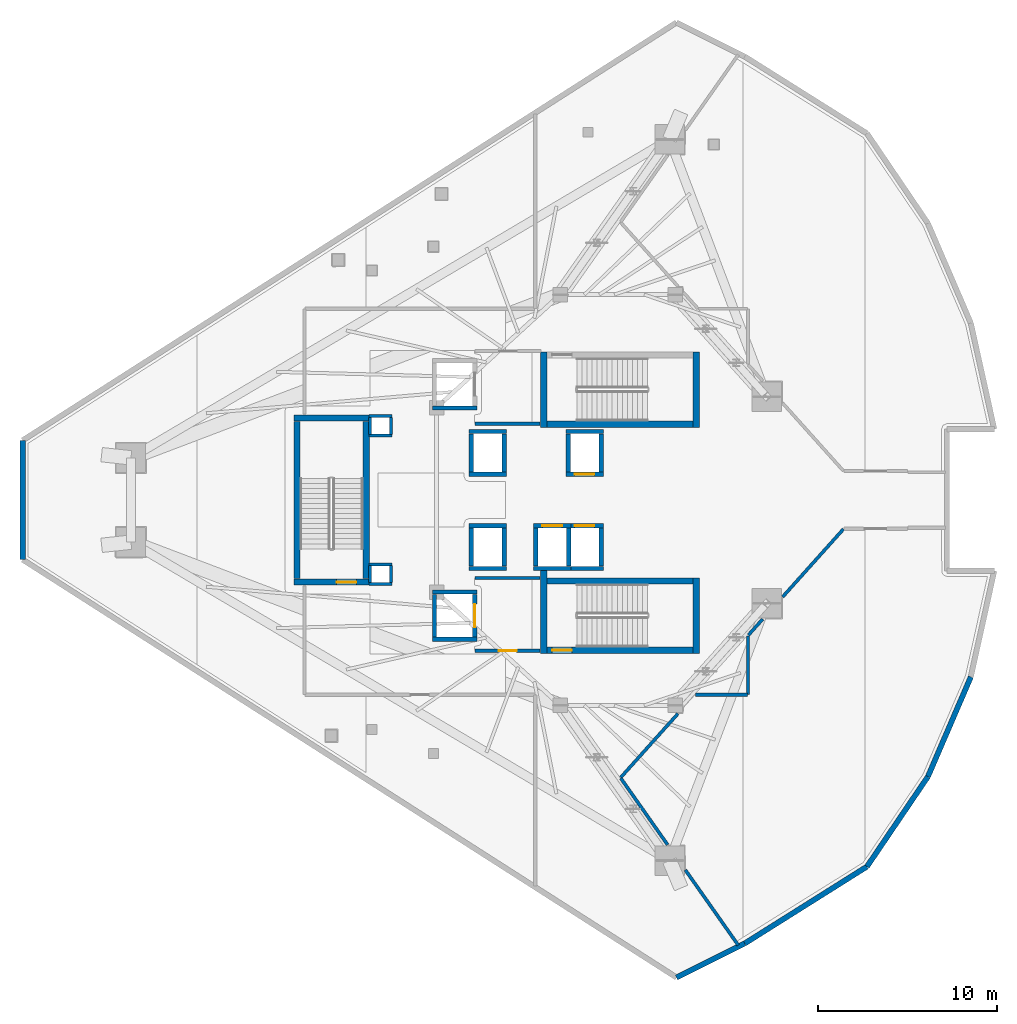
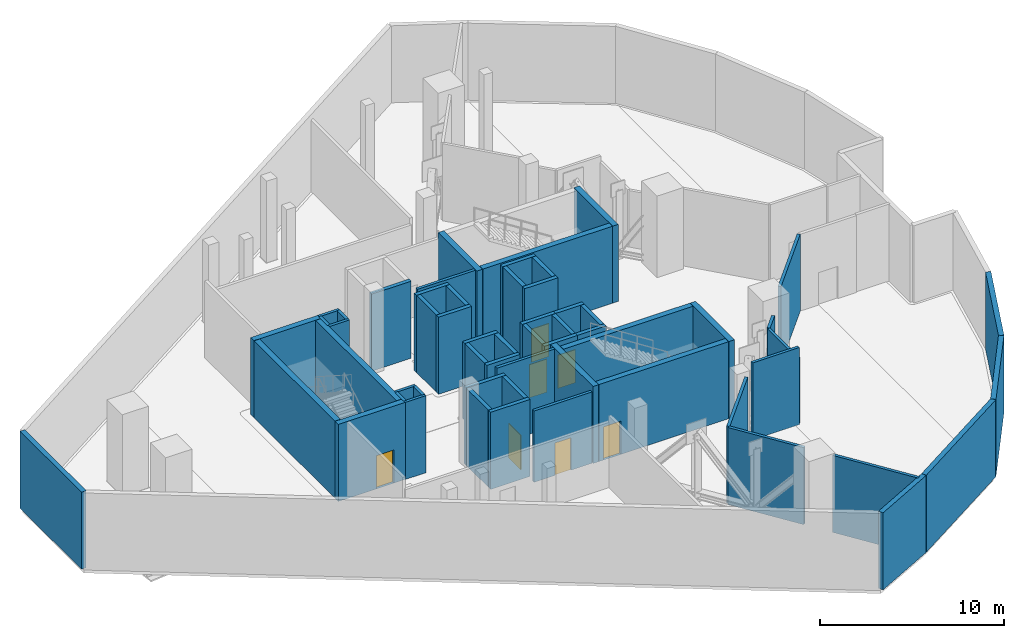
# One storey, part 3 of 9: 58 walls, 7 doors, 7 openings.
"""IFC4 building model written with IfcOpenShell, lengths in metres."""

from ifc_helpers import new_model, si_unit, direction, frame, frame_2d, origin, place, context, subcontext, project, spatial, rectangle, extrude, material, layer, layer_set, type_object, element, fill, save


model = new_model("IFC4")

# Units and contexts
model_context = context("Model", 3, precision=1e-05, world=origin(), true_north=direction((0.0, 1.0)))
body_context = subcontext(model_context, "Body", "Model", "MODEL_VIEW")
ifc_project = project(units=[si_unit("LENGTHUNIT", "METRE"), si_unit("AREAUNIT", "SQUARE_METRE"), si_unit("VOLUMEUNIT", "CUBIC_METRE"), si_unit("PLANEANGLEUNIT", "RADIAN"), si_unit("MASSUNIT", "GRAM", prefix="KILO")], contexts=[model_context])

# Site, building, storey
site_placement = place(None, origin())
site = spatial("IfcSite", under=ifc_project, at=site_placement, CompositionType="ELEMENT")
building_placement = place(site_placement, origin())
building = spatial("IfcBuilding", under=site, at=building_placement, Name="Qorvath Tower", CompositionType="ELEMENT")
storey_placement = place(building_placement, frame((0.0, 0.0, 249.60009765625)))
storey = spatial("IfcBuildingStorey", under=building, at=storey_placement, Name="L58", CompositionType="ELEMENT", Elevation=249.60009765625)

# Walls
ifc_material_1 = material(Name="Gypsum shaftliner on steel studs", Category="steel")
ifc_layer_1 = layer(ifc_material_1, 0.179931640625)
ifc_layer_set_1 = layer_set([ifc_layer_1], Name="FW-LOBBY")
wall_type_1 = type_object("IfcWallType", Name="FW-LOBBY", PredefinedType="PARTITIONING", material=ifc_layer_set_1)
for number, where, z_axis, x_axis, name in (
    (1, (-32.989990234375, 3.594970703125, 0.0), (0.0, 0.0, 1.0), (-1.0, 0.0, 0.0), "MEP Riser Shaft Enclosure Wall N-L58-S"),
    (2, (-34.260009765625, 4.675048828125, 0.0), (0.0, 0.0, 1.0), (1.0, 0.0, 0.0), "MEP Riser Shaft Enclosure Wall N-L58-N"),
):
    element("IfcWall", number, at=place(storey_placement, frame(where, z_axis=z_axis, x_axis=x_axis)), inside=storey, type_object=wall_type_1, Name=name, PredefinedType="PARTITIONING", context=body_context, shape_type="SweptSolid", body=[
        extrude(rectangle(XDim=1.27001953125, YDim=0.179931640625, at=frame_2d((0.635009765625, 0.0))), origin(), (0.0, 0.0, 1.0), 5.099853515625),
    ])
for number, where, z_axis, x_axis, name in (
    (3, (-34.205078125, 3.659912109375, 0.0), (0.0, 0.0, 1.0), (0.0, 1.0, 0.0), "MEP Riser Shaft Enclosure Wall N-L58-W"),
    (4, (-33.044921875, 4.610107421875, 0.0), (0.0, 0.0, 1.0), (0.0, -1.0, 0.0), "MEP Riser Shaft Enclosure Wall N-L58-E"),
):
    element("IfcWall", number, at=place(storey_placement, frame(where, z_axis=z_axis, x_axis=x_axis)), inside=storey, type_object=wall_type_1, Name=name, PredefinedType="PARTITIONING", context=body_context, shape_type="SweptSolid", body=[
        extrude(rectangle(XDim=0.9501953125, YDim=0.179931640625, at=frame_2d((0.47509765625, 0.0))), origin(), (0.0, 0.0, 1.0), 5.099853515625),
    ])
for number, where, z_axis, x_axis, name in (
    (5, (-32.989990234375, -4.675048828125, 0.0), (0.0, 0.0, 1.0), (-1.0, 0.0, 0.0), "MEP Riser Shaft Enclosure Wall S-L58-S"),
    (6, (-34.260009765625, -3.594970703125, 0.0), (0.0, 0.0, 1.0), (1.0, 0.0, 0.0), "MEP Riser Shaft Enclosure Wall S-L58-N"),
):
    element("IfcWall", number, at=place(storey_placement, frame(where, z_axis=z_axis, x_axis=x_axis)), inside=storey, type_object=wall_type_1, Name=name, PredefinedType="PARTITIONING", context=body_context, shape_type="SweptSolid", body=[
        extrude(rectangle(XDim=1.27001953125, YDim=0.179931640625, at=frame_2d((0.635009765625, 0.0))), origin(), (0.0, 0.0, 1.0), 5.099853515625),
    ])
for number, where, z_axis, x_axis, name in (
    (7, (-34.205078125, -4.610107421875, 0.0), (0.0, 0.0, 1.0), (0.0, 1.0, 0.0), "MEP Riser Shaft Enclosure Wall S-L58-W"),
    (8, (-33.044921875, -3.659912109375, 0.0), (0.0, 0.0, 1.0), (0.0, -1.0, 0.0), "MEP Riser Shaft Enclosure Wall S-L58-E"),
):
    element("IfcWall", number, at=place(storey_placement, frame(where, z_axis=z_axis, x_axis=x_axis)), inside=storey, type_object=wall_type_1, Name=name, PredefinedType="PARTITIONING", context=body_context, shape_type="SweptSolid", body=[
        extrude(rectangle(XDim=0.9501953125, YDim=0.179931640625, at=frame_2d((0.47509765625, 0.0))), origin(), (0.0, 0.0, 1.0), 5.099853515625),
    ])
wall_1_placement = place(storey_placement, frame((-28.35498046875, 4.25, 0.0), z_axis=(0.0, 0.0, 1.0), x_axis=(1.0, 0.0, 0.0)))
element("IfcWall", 9, at=wall_1_placement, inside=storey, type_object=wall_type_1, Name="Interior Partition IW-T1-L58-001", PredefinedType="PARTITIONING", context=body_context, shape_type="SweptSolid", body=[
    extrude(rectangle(XDim=3.6220703125, YDim=0.179931640625, at=frame_2d((1.81103515625, 0.0))), origin(), (0.0, 0.0, 1.0), 5.099853515625),
])

# Wall, opening, door
wall_2_placement = place(storey_placement, frame((-28.35498046875, -8.39990234375, 0.0), z_axis=(0.0, 0.0, 1.0), x_axis=(1.0, 0.0, 0.0)))
wall_2 = element("IfcWall", 10, at=wall_2_placement, inside=storey, type_object=wall_type_1, Name="Interior Partition IW-T1-L58-003", PredefinedType="PARTITIONING", context=body_context, shape_type="SweptSolid", body=[
    extrude(rectangle(XDim=3.6220703125, YDim=0.179931640625, at=frame_2d((1.81103515625, 0.0))), origin(), (0.0, 0.0, 1.0), 4.71875),
])
opening_1_placement = place(wall_2_placement, frame((1.31103515625, 0.0, 0.0)))
opening_1 = element("IfcOpeningElement", 11, at=opening_1_placement, cuts=wall_2, Name="Opening D-T1-L58-05", PredefinedType="OPENING", context=body_context, shape_type="SweptSolid", body=[
    extrude(rectangle(XDim=1.0, YDim=2.14990234375, at=frame_2d((0.5, 1.074951171875))), frame((0.0, 0.10009765625, 0.0), z_axis=(0.0, -1.0, 0.0), x_axis=(1.0, 0.0, 0.0)), (0.0, 0.0, 1.0), 0.199951171875),
])
ifc_material_2 = material(Name="Painted galvanised hollow metal", Category="steel")
door_type_1 = type_object("IfcDoorType", Name="FD-60", OperationType="NOTDEFINED", PredefinedType="DOOR", material=ifc_material_2)
door_1_placement = place(opening_1_placement, origin())
door_1 = element("IfcDoor", 12, at=door_1_placement, inside=storey, type_object=door_type_1, Name="Lobby Fire Service Elevator South Door D-T1-L58-05", OperationType="SINGLE_SWING_RIGHT", OverallHeight=2.14990234375, OverallWidth=1.0, PredefinedType="DOOR", context=body_context, shape_type="SweptSolid", body=[
    extrude(rectangle(XDim=1.0, YDim=2.14990234375, at=frame_2d((0.5, 1.074951171875))), frame((0.0, 0.02490234375, 0.0), z_axis=(0.0, -1.0, 0.0), x_axis=(1.0, 0.0, 0.0)), (0.0, 0.0, 1.0), 0.050048828125),
])
fill(opening_1, door_1)

# Walls
wall_3_placement = place(storey_placement, frame((-24.73291015625, -4.35009765625, 0.0), z_axis=(0.0, 0.0, 1.0), x_axis=(-1.0, 0.0, 0.0)))
element("IfcWall", 13, at=wall_3_placement, inside=storey, type_object=wall_type_1, Name="Interior Partition IW-T1-L58-004", PredefinedType="PARTITIONING", context=body_context, shape_type="SweptSolid", body=[
    extrude(rectangle(XDim=3.6220703125, YDim=0.179931640625, at=frame_2d((1.81103515625, 0.0))), origin(), (0.0, 0.0, 1.0), 5.099853515625),
])
wall_4_placement = place(storey_placement, frame((-7.82861328125, -1.62646484375, 0.0), z_axis=(0.0, 0.0, 1.0), x_axis=(-0.667556975808, -0.744558717664, 0.0)))
element("IfcWall", 14, at=wall_4_placement, inside=storey, type_object=wall_type_1, Name="Interior Partition IW-T1-L58-023", PredefinedType="PARTITIONING", context=body_context, shape_type="SweptSolid", body=[
    extrude(rectangle(XDim=5.072998046875, YDim=0.179931640625, at=frame_2d((2.53662109375, 0.0))), origin(), (0.0, 0.0, 1.0), 5.099853515625),
])
wall_5_placement = place(storey_placement, frame((-12.324951171875, -6.6416015625, 0.0), z_axis=(0.0, 0.0, 1.0), x_axis=(-0.667580043135, -0.744538035299, 0.0)))
element("IfcWall", 15, at=wall_5_placement, inside=storey, type_object=wall_type_1, Name="Interior Partition IW-T1-L58-024", PredefinedType="PARTITIONING", context=body_context, shape_type="SweptSolid", body=[
    extrude(rectangle(XDim=1.19921875, YDim=0.179931640625, at=frame_2d((0.599609375, 0.0))), origin(), (0.0, 0.0, 1.0), 4.31982421875),
])
wall_6_placement = place(storey_placement, frame((-13.14208984375, -7.577880859375, 0.0), z_axis=(0.0, 0.0, 1.0), x_axis=(0.0, -1.0, 0.0)))
element("IfcWall", 16, at=wall_6_placement, inside=storey, type_object=wall_type_1, Name="Interior Partition IW-T1-L58-025", PredefinedType="PARTITIONING", context=body_context, shape_type="SweptSolid", body=[
    extrude(rectangle(XDim=3.255126953125, YDim=0.179931640625, at=frame_2d((1.62744140625, 0.0))), origin(), (0.0, 0.0, 1.0), 4.31982421875),
])
wall_7_placement = place(storey_placement, frame((-13.1669921875, -10.85791015625, 0.0), z_axis=(0.0, 0.0, 1.0), x_axis=(-1.0, 0.0, 0.0)))
element("IfcWall", 17, at=wall_7_placement, inside=storey, type_object=wall_type_1, Name="Interior Partition IW-T1-L58-026", PredefinedType="PARTITIONING", context=body_context, shape_type="SweptSolid", body=[
    extrude(rectangle(XDim=2.9130859375, YDim=0.179931640625, at=frame_2d((1.45654296875, 0.0))), origin(), (0.0, 0.0, 1.0), 5.099853515625),
])
wall_8_placement = place(storey_placement, frame((-17.04736328125, -11.90869140625, 0.0), z_axis=(0.0, 0.0, 1.0), x_axis=(-0.667525464627, -0.744586968778, 0.0)))
element("IfcWall", 18, at=wall_8_placement, inside=storey, type_object=wall_type_1, Name="Interior Partition IW-T1-L58-027", PredefinedType="PARTITIONING", context=body_context, shape_type="SweptSolid", body=[
    extrude(rectangle(XDim=4.7744140625, YDim=0.179931640625, at=frame_2d((2.38720703125, 0.0))), origin(), (0.0, 0.0, 1.0), 5.099853515625),
])
wall_9_placement = place(storey_placement, frame((-20.236572265625, -15.502685546875, 0.0), z_axis=(0.0, 0.0, 1.0), x_axis=(0.575301570857, -0.817941380888, 0.0)))
element("IfcWall", 19, at=wall_9_placement, inside=storey, type_object=wall_type_1, Name="Interior Partition IW-T1-L58-028", PredefinedType="PARTITIONING", context=body_context, shape_type="SweptSolid", body=[
    extrude(rectangle(XDim=4.539794921875, YDim=0.179931640625, at=frame_2d((2.27001953125, 0.0))), origin(), (0.0, 0.0, 1.0), 5.099853515625),
])
wall_10_placement = place(storey_placement, frame((-16.63623046875, -20.621337890625, 0.0), z_axis=(0.0, 0.0, 1.0), x_axis=(0.575273883825, -0.817960853946, 0.0)))
element("IfcWall", 20, at=wall_10_placement, inside=storey, type_object=wall_type_1, Name="Interior Partition IW-T1-L58-029", PredefinedType="PARTITIONING", context=body_context, shape_type="SweptSolid", body=[
    extrude(rectangle(XDim=5.12451171875, YDim=0.179931640625, at=frame_2d((2.562255859375, 0.0))), origin(), (0.0, 0.0, 1.0), 5.099853515625),
])
ifc_material_3 = material(Name="Concrete C60/75", Category="concrete")
ifc_layer_2 = layer(ifc_material_3, 0.260009765625)
ifc_layer_set_2 = layer_set([ifc_layer_2], Name="SW-SHAFT")
wall_type_2 = type_object("IfcWallType", Name="SW-SHAFT", PredefinedType="SHEAR", material=ifc_layer_set_2)
for number, where, z_axis, x_axis, name in (
    (21, (-28.260009765625, 5.1298828125, 0.0), (0.0, 0.0, 1.0), (-1.0, 0.0, 0.0), "Hoistway Wall FSAE-1 L58 S"),
    (22, (-28.260009765625, -7.77001953125, 0.0), (0.0, 0.0, 1.0), (-1.0, 0.0, 0.0), "Hoistway Wall FSAE-2 L58 S"),
    (23, (-30.739990234375, -5.1298828125, 0.0), (0.0, 0.0, 1.0), (1.0, 0.0, 0.0), "Hoistway Wall FSAE-2 L58 N"),
):
    element("IfcWall", number, at=place(storey_placement, frame(where, z_axis=z_axis, x_axis=x_axis)), inside=storey, type_object=wall_type_2, Name=name, PredefinedType="SHEAR", context=body_context, shape_type="SweptSolid", body=[
        extrude(rectangle(XDim=2.47998046875, YDim=0.239990234375, at=frame_2d((1.239990234375, 0.0))), origin(), (0.0, 0.0, 1.0), 5.099853515625),
    ])
wall_11_placement = place(storey_placement, frame((-30.6201171875, -7.637939453125, 0.0), z_axis=(0.0, 0.0, 1.0), x_axis=(0.0, 1.0, 0.0)))
element("IfcWall", 24, at=wall_11_placement, inside=storey, type_object=wall_type_2, Name="Hoistway Wall FSAE-2 L58 W", PredefinedType="SHEAR", context=body_context, shape_type="SweptSolid", body=[
    extrude(rectangle(XDim=2.3759765625, YDim=0.239990234375, at=frame_2d((1.18798828125, 0.0))), origin(), (0.0, 0.0, 1.0), 5.099853515625),
])

# Wall, opening, door
wall_12_placement = place(storey_placement, frame((-28.3798828125, -5.261962890625, 0.0), z_axis=(0.0, 0.0, 1.0), x_axis=(0.0, -1.0, 0.0)))
wall_12 = element("IfcWall", 25, at=wall_12_placement, inside=storey, type_object=wall_type_2, Name="Hoistway Wall FSAE-2 L58 E", PredefinedType="SHEAR", context=body_context, shape_type="SweptSolid", body=[
    extrude(rectangle(XDim=2.3759765625, YDim=0.239990234375, at=frame_2d((1.18798828125, 0.0))), origin(), (0.0, 0.0, 1.0), 5.099853515625),
])
opening_2_placement = place(wall_12_placement, frame((0.5380859375, 0.0, 0.0)))
opening_2 = element("IfcOpeningElement", 26, at=opening_2_placement, cuts=wall_12, Name="Opening LD-FSAE-2-L58", PredefinedType="OPENING", context=body_context, shape_type="SweptSolid", body=[
    extrude(rectangle(XDim=1.300048828125, YDim=2.300048828125, at=frame_2d((0.64990234375, 1.14990234375))), frame((0.0, 0.1298828125, 0.0), z_axis=(0.0, -1.0, 0.0), x_axis=(1.0, 0.0, 0.0)), (0.0, 0.0, 1.0), 0.260009765625),
])
ifc_material_4 = material(Name="Brushed stainless steel AISI 316", Category="steel")
door_type_2 = type_object("IfcDoorType", Name="LD-02", OperationType="NOTDEFINED", PredefinedType="DOOR", material=ifc_material_4)
door_2_placement = place(opening_2_placement, origin())
door_2 = element("IfcDoor", 27, at=door_2_placement, inside=storey, type_object=door_type_2, Name="Elevator Landing Sliding Door LD-FSAE-2-L58", OperationType="DOUBLE_DOOR_SLIDING", OverallHeight=2.300048828125, OverallWidth=1.300048828125, PredefinedType="DOOR", context=body_context, shape_type="SweptSolid", body=[
    extrude(rectangle(XDim=1.300048828125, YDim=2.300048828125, at=frame_2d((0.64990234375, 1.14990234375))), frame((0.0, 0.02490234375, 0.0), z_axis=(0.0, -1.0, 0.0), x_axis=(1.0, 0.0, 0.0)), (0.0, 0.0, 1.0), 0.050048828125),
])
fill(opening_2, door_2)

# Walls
for number, where, z_axis, x_axis, name in (
    (28, (-26.610107421875, 1.429931640625, 0.0), (0.0, 0.0, 1.0), (-1.0, 0.0, 0.0), "Hoistway Wall PS-1 L58 S"),
    (29, (-28.68994140625, 3.820068359375, 0.0), (0.0, 0.0, 1.0), (1.0, 0.0, 0.0), "Hoistway Wall PS-1 L58 N"),
):
    element("IfcWall", number, at=place(storey_placement, frame(where, z_axis=z_axis, x_axis=x_axis)), inside=storey, type_object=wall_type_2, Name=name, PredefinedType="SHEAR", context=body_context, shape_type="SweptSolid", body=[
        extrude(rectangle(XDim=2.079833984375, YDim=0.239990234375, at=frame_2d((1.0400390625, 0.0))), origin(), (0.0, 0.0, 1.0), 5.099853515625),
    ])
for number, where, z_axis, x_axis, name in (
    (30, (-28.570068359375, 1.56201171875, 0.0), (0.0, 0.0, 1.0), (0.0, 1.0, 0.0), "Hoistway Wall PS-1 L58 W"),
    (31, (-26.72998046875, 3.68798828125, 0.0), (0.0, 0.0, 1.0), (0.0, -1.0, 0.0), "Hoistway Wall PS-1 L58 E"),
):
    element("IfcWall", number, at=place(storey_placement, frame(where, z_axis=z_axis, x_axis=x_axis)), inside=storey, type_object=wall_type_2, Name=name, PredefinedType="SHEAR", context=body_context, shape_type="SweptSolid", body=[
        extrude(rectangle(XDim=2.1259765625, YDim=0.239990234375, at=frame_2d((1.06298828125, 0.0))), origin(), (0.0, 0.0, 1.0), 5.099853515625),
    ])

# Wall, opening, door
wall_13_placement = place(storey_placement, frame((-21.2099609375, 1.429931640625, 0.0), z_axis=(0.0, 0.0, 1.0), x_axis=(-1.0, 0.0, 0.0)))
wall_13 = element("IfcWall", 32, at=wall_13_placement, inside=storey, type_object=wall_type_2, Name="Hoistway Wall PU-1 L58 S", PredefinedType="SHEAR", context=body_context, shape_type="SweptSolid", body=[
    extrude(rectangle(XDim=2.080078125, YDim=0.239990234375, at=frame_2d((1.0400390625, 0.0))), origin(), (0.0, 0.0, 1.0), 5.099853515625),
])
opening_3_placement = place(wall_13_placement, frame((0.489990234375, 0.0, 0.0)))
opening_3 = element("IfcOpeningElement", 33, at=opening_3_placement, cuts=wall_13, Name="Opening LD-PU-1-L58", PredefinedType="OPENING", context=body_context, shape_type="SweptSolid", body=[
    extrude(rectangle(XDim=1.10009765625, YDim=2.199951171875, at=frame_2d((0.550048828125, 1.10009765625))), frame((0.0, 0.1298828125, 0.0), z_axis=(0.0, -1.0, 0.0), x_axis=(1.0, 0.0, 0.0)), (0.0, 0.0, 1.0), 0.260009765625),
])
ifc_material_5 = material(Name="Brushed stainless steel AISI 316", Category="steel")
door_type_3 = type_object("IfcDoorType", Name="LD-01", OperationType="NOTDEFINED", PredefinedType="DOOR", material=ifc_material_5)
door_3_placement = place(opening_3_placement, origin())
door_3 = element("IfcDoor", 34, at=door_3_placement, inside=storey, type_object=door_type_3, Name="Elevator Landing Sliding Door LD-PU-1-L58", OperationType="DOUBLE_DOOR_SLIDING", OverallHeight=2.199951171875, OverallWidth=1.10009765625, PredefinedType="DOOR", context=body_context, shape_type="SweptSolid", body=[
    extrude(rectangle(XDim=1.10009765625, YDim=2.199951171875, at=frame_2d((0.550048828125, 1.10009765625))), frame((0.0, 0.02490234375, 0.0), z_axis=(0.0, -1.0, 0.0), x_axis=(1.0, 0.0, 0.0)), (0.0, 0.0, 1.0), 0.050048828125),
])
fill(opening_3, door_3)

# Walls
wall_14_placement = place(storey_placement, frame((-23.2900390625, 3.820068359375, 0.0), z_axis=(0.0, 0.0, 1.0), x_axis=(1.0, 0.0, 0.0)))
element("IfcWall", 35, at=wall_14_placement, inside=storey, type_object=wall_type_2, Name="Hoistway Wall PU-1 L58 N", PredefinedType="SHEAR", context=body_context, shape_type="SweptSolid", body=[
    extrude(rectangle(XDim=2.080078125, YDim=0.239990234375, at=frame_2d((1.0400390625, 0.0))), origin(), (0.0, 0.0, 1.0), 5.099853515625),
])
for number, where, z_axis, x_axis, name in (
    (36, (-23.169921875, 1.56201171875, 0.0), (0.0, 0.0, 1.0), (0.0, 1.0, 0.0), "Hoistway Wall PU-1 L58 W"),
    (37, (-21.330078125, 3.68798828125, 0.0), (0.0, 0.0, 1.0), (0.0, -1.0, 0.0), "Hoistway Wall PU-1 L58 E"),
):
    element("IfcWall", number, at=place(storey_placement, frame(where, z_axis=z_axis, x_axis=x_axis)), inside=storey, type_object=wall_type_2, Name=name, PredefinedType="SHEAR", context=body_context, shape_type="SweptSolid", body=[
        extrude(rectangle(XDim=2.1259765625, YDim=0.239990234375, at=frame_2d((1.06298828125, 0.0))), origin(), (0.0, 0.0, 1.0), 5.099853515625),
    ])
for number, where, z_axis, x_axis, name in (
    (38, (-26.610107421875, -3.820068359375, 0.0), (0.0, 0.0, 1.0), (-1.0, 0.0, 0.0), "Hoistway Wall PS-2 L58 S"),
    (39, (-28.68994140625, -1.429931640625, 0.0), (0.0, 0.0, 1.0), (1.0, 0.0, 0.0), "Hoistway Wall PS-2 L58 N"),
):
    element("IfcWall", number, at=place(storey_placement, frame(where, z_axis=z_axis, x_axis=x_axis)), inside=storey, type_object=wall_type_2, Name=name, PredefinedType="SHEAR", context=body_context, shape_type="SweptSolid", body=[
        extrude(rectangle(XDim=2.079833984375, YDim=0.239990234375, at=frame_2d((1.0400390625, 0.0))), origin(), (0.0, 0.0, 1.0), 5.099853515625),
    ])
for number, where, z_axis, x_axis, name in (
    (40, (-28.570068359375, -3.68798828125, 0.0), (0.0, 0.0, 1.0), (0.0, 1.0, 0.0), "Hoistway Wall PS-2 L58 W"),
    (41, (-26.72998046875, -1.56201171875, 0.0), (0.0, 0.0, 1.0), (0.0, -1.0, 0.0), "Hoistway Wall PS-2 L58 E"),
):
    element("IfcWall", number, at=place(storey_placement, frame(where, z_axis=z_axis, x_axis=x_axis)), inside=storey, type_object=wall_type_2, Name=name, PredefinedType="SHEAR", context=body_context, shape_type="SweptSolid", body=[
        extrude(rectangle(XDim=2.1259765625, YDim=0.239990234375, at=frame_2d((1.06298828125, 0.0))), origin(), (0.0, 0.0, 1.0), 5.099853515625),
    ])
wall_15_placement = place(storey_placement, frame((-23.010009765625, -3.820068359375, 0.0), z_axis=(0.0, 0.0, 1.0), x_axis=(-1.0, 0.0, 0.0)))
element("IfcWall", 42, at=wall_15_placement, inside=storey, type_object=wall_type_2, Name="Hoistway Wall PU-2 L58 S", PredefinedType="SHEAR", context=body_context, shape_type="SweptSolid", body=[
    extrude(rectangle(XDim=2.080078125, YDim=0.239990234375, at=frame_2d((1.0400390625, 0.0))), origin(), (0.0, 0.0, 1.0), 5.099853515625),
])

# Wall, opening, door
wall_16_placement = place(storey_placement, frame((-25.090087890625, -1.429931640625, 0.0), z_axis=(0.0, 0.0, 1.0), x_axis=(1.0, 0.0, 0.0)))
wall_16 = element("IfcWall", 43, at=wall_16_placement, inside=storey, type_object=wall_type_2, Name="Hoistway Wall PU-2 L58 N", PredefinedType="SHEAR", context=body_context, shape_type="SweptSolid", body=[
    extrude(rectangle(XDim=2.080078125, YDim=0.239990234375, at=frame_2d((1.0400390625, 0.0))), origin(), (0.0, 0.0, 1.0), 5.099853515625),
])
opening_4_placement = place(wall_16_placement, frame((0.489990234375, 0.0, 0.0)))
opening_4 = element("IfcOpeningElement", 44, at=opening_4_placement, cuts=wall_16, Name="Opening LD-PU-2-L58", PredefinedType="OPENING", context=body_context, shape_type="SweptSolid", body=[
    extrude(rectangle(XDim=1.10009765625, YDim=2.199951171875, at=frame_2d((0.550048828125, 1.10009765625))), frame((0.0, 0.1298828125, 0.0), z_axis=(0.0, -1.0, 0.0), x_axis=(1.0, 0.0, 0.0)), (0.0, 0.0, 1.0), 0.260009765625),
])
door_4_placement = place(opening_4_placement, origin())
door_4 = element("IfcDoor", 45, at=door_4_placement, inside=storey, type_object=door_type_3, Name="Elevator Landing Sliding Door LD-PU-2-L58", OperationType="DOUBLE_DOOR_SLIDING", OverallHeight=2.199951171875, OverallWidth=1.10009765625, PredefinedType="DOOR", context=body_context, shape_type="SweptSolid", body=[
    extrude(rectangle(XDim=1.10009765625, YDim=2.199951171875, at=frame_2d((0.550048828125, 1.10009765625))), frame((0.0, 0.02490234375, 0.0), z_axis=(0.0, -1.0, 0.0), x_axis=(1.0, 0.0, 0.0)), (0.0, 0.0, 1.0), 0.050048828125),
])
fill(opening_4, door_4)

# Walls
for number, where, z_axis, x_axis, name in (
    (46, (-24.969970703125, -3.68798828125, 0.0), (0.0, 0.0, 1.0), (0.0, 1.0, 0.0), "Hoistway Wall PU-2 L58 W"),
    (47, (-23.1298828125, -1.56201171875, 0.0), (0.0, 0.0, 1.0), (0.0, -1.0, 0.0), "Hoistway Wall PU-2 L58 E"),
):
    element("IfcWall", number, at=place(storey_placement, frame(where, z_axis=z_axis, x_axis=x_axis)), inside=storey, type_object=wall_type_2, Name=name, PredefinedType="SHEAR", context=body_context, shape_type="SweptSolid", body=[
        extrude(rectangle(XDim=2.1259765625, YDim=0.239990234375, at=frame_2d((1.06298828125, 0.0))), origin(), (0.0, 0.0, 1.0), 5.099853515625),
    ])
wall_17_placement = place(storey_placement, frame((-21.2099609375, -3.820068359375, 0.0), z_axis=(0.0, 0.0, 1.0), x_axis=(-1.0, 0.0, 0.0)))
element("IfcWall", 48, at=wall_17_placement, inside=storey, type_object=wall_type_2, Name="Hoistway Wall PU-3 L58 S", PredefinedType="SHEAR", context=body_context, shape_type="SweptSolid", body=[
    extrude(rectangle(XDim=1.800048828125, YDim=0.239990234375, at=frame_2d((0.89990234375, 0.0))), origin(), (0.0, 0.0, 1.0), 5.099853515625),
])

# Wall, opening, door
wall_18_placement = place(storey_placement, frame((-23.010009765625, -1.429931640625, 0.0), z_axis=(0.0, 0.0, 1.0), x_axis=(1.0, 0.0, 0.0)))
wall_18 = element("IfcWall", 49, at=wall_18_placement, inside=storey, type_object=wall_type_2, Name="Hoistway Wall PU-3 L58 N", PredefinedType="SHEAR", context=body_context, shape_type="SweptSolid", body=[
    extrude(rectangle(XDim=1.800048828125, YDim=0.239990234375, at=frame_2d((0.89990234375, 0.0))), origin(), (0.0, 0.0, 1.0), 5.099853515625),
])
opening_5_placement = place(wall_18_placement, frame((0.2099609375, 0.0, 0.0)))
opening_5 = element("IfcOpeningElement", 50, at=opening_5_placement, cuts=wall_18, Name="Opening LD-PU-3-L58", PredefinedType="OPENING", context=body_context, shape_type="SweptSolid", body=[
    extrude(rectangle(XDim=1.10009765625, YDim=2.199951171875, at=frame_2d((0.550048828125, 1.10009765625))), frame((0.0, 0.1298828125, 0.0), z_axis=(0.0, -1.0, 0.0), x_axis=(1.0, 0.0, 0.0)), (0.0, 0.0, 1.0), 0.260009765625),
])
door_5_placement = place(opening_5_placement, origin())
door_5 = element("IfcDoor", 51, at=door_5_placement, inside=storey, type_object=door_type_3, Name="Elevator Landing Sliding Door LD-PU-3-L58", OperationType="DOUBLE_DOOR_SLIDING", OverallHeight=2.199951171875, OverallWidth=1.10009765625, PredefinedType="DOOR", context=body_context, shape_type="SweptSolid", body=[
    extrude(rectangle(XDim=1.10009765625, YDim=2.199951171875, at=frame_2d((0.550048828125, 1.10009765625))), frame((0.0, 0.02490234375, 0.0), z_axis=(0.0, -1.0, 0.0), x_axis=(1.0, 0.0, 0.0)), (0.0, 0.0, 1.0), 0.050048828125),
])
fill(opening_5, door_5)

# Walls
wall_19_placement = place(storey_placement, frame((-21.330078125, -1.56201171875, 0.0), z_axis=(0.0, 0.0, 1.0), x_axis=(0.0, -1.0, 0.0)))
element("IfcWall", 52, at=wall_19_placement, inside=storey, type_object=wall_type_2, Name="Hoistway Wall PU-3 L58 E", PredefinedType="SHEAR", context=body_context, shape_type="SweptSolid", body=[
    extrude(rectangle(XDim=2.1259765625, YDim=0.239990234375, at=frame_2d((1.06298828125, 0.0))), origin(), (0.0, 0.0, 1.0), 5.099853515625),
])
ifc_material_6 = material(Name="Concrete C60/75", Category="concrete")
ifc_layer_3 = layer(ifc_material_6, 0.35009765625)
ifc_layer_set_3 = layer_set([ifc_layer_3], Name="SW-STAIR")
wall_type_3 = type_object("IfcWallType", Name="SW-STAIR", PredefinedType="SHEAR", material=ifc_layer_set_3)
for number, where, z_axis, x_axis, name in (
    (53, (-24.52490234375, 8.260009765625, 0.0), (0.0, 0.0, 1.0), (0.0, -1.0, 0.0), "Stair TS1 Shear Wall L58 NEAR"),
    (54, (-16.02490234375, 4.050048828125, 0.0), (0.0, 0.0, 1.0), (0.0, 1.0, 0.0), "Stair TS1 Shear Wall L58 FAR"),
):
    element("IfcWall", number, at=place(storey_placement, frame(where, z_axis=z_axis, x_axis=x_axis)), inside=storey, type_object=wall_type_3, Name=name, PredefinedType="SHEAR", context=body_context, shape_type="SweptSolid", body=[
        extrude(rectangle(XDim=4.2099609375, YDim=0.35009765625, at=frame_2d((2.10498046875, 0.0))), origin(), (0.0, 0.0, 1.0), 5.099853515625),
    ])
wall_20_placement = place(storey_placement, frame((-24.3349609375, 4.22509765625, 0.0), z_axis=(0.0, 0.0, 1.0), x_axis=(1.0, 0.0, 0.0)))
element("IfcWall", 55, at=wall_20_placement, inside=storey, type_object=wall_type_3, Name="Stair TS1 Shear Wall L58 LEFT", PredefinedType="SHEAR", context=body_context, shape_type="SweptSolid", body=[
    extrude(rectangle(XDim=8.119873046875, YDim=0.35009765625, at=frame_2d((4.06005859375, 0.0))), origin(), (0.0, 0.0, 1.0), 5.099853515625),
])
wall_21_placement = place(storey_placement, frame((-24.52490234375, -3.93994140625, 0.0), z_axis=(0.0, 0.0, 1.0), x_axis=(0.0, -1.0, 0.0)))
element("IfcWall", 56, at=wall_21_placement, inside=storey, type_object=wall_type_3, Name="Stair TS2 Shear Wall L58 NEAR", PredefinedType="SHEAR", context=body_context, shape_type="SweptSolid", body=[
    extrude(rectangle(XDim=4.610107421875, YDim=0.35009765625, at=frame_2d((2.30517578125, 0.0))), origin(), (0.0, 0.0, 1.0), 5.099853515625),
])
wall_22_placement = place(storey_placement, frame((-16.02490234375, -8.550048828125, 0.0), z_axis=(0.0, 0.0, 1.0), x_axis=(0.0, 1.0, 0.0)))
element("IfcWall", 57, at=wall_22_placement, inside=storey, type_object=wall_type_3, Name="Stair TS2 Shear Wall L58 FAR", PredefinedType="SHEAR", context=body_context, shape_type="SweptSolid", body=[
    extrude(rectangle(XDim=4.2099609375, YDim=0.35009765625, at=frame_2d((2.10498046875, 0.0))), origin(), (0.0, 0.0, 1.0), 5.099853515625),
])

# Wall, opening, door
wall_23_placement = place(storey_placement, frame((-24.3349609375, -8.375, 0.0), z_axis=(0.0, 0.0, 1.0), x_axis=(1.0, 0.0, 0.0)))
wall_23 = element("IfcWall", 58, at=wall_23_placement, inside=storey, type_object=wall_type_3, Name="Stair TS2 Shear Wall L58 LEFT", PredefinedType="SHEAR", context=body_context, shape_type="SweptSolid", body=[
    extrude(rectangle(XDim=8.119873046875, YDim=0.35009765625, at=frame_2d((4.06005859375, 0.0))), origin(), (0.0, 0.0, 1.0), 5.099853515625),
])
opening_6_placement = place(wall_23_placement, frame((0.280029296875, 0.0, 0.0)))
opening_6 = element("IfcOpeningElement", 59, at=opening_6_placement, cuts=wall_23, Name="Opening D-TS2-L58", PredefinedType="OPENING", context=body_context, shape_type="SweptSolid", body=[
    extrude(rectangle(XDim=1.10009765625, YDim=2.199951171875, at=frame_2d((0.550048828125, 1.10009765625))), frame((0.0, 0.18505859375, 0.0), z_axis=(0.0, -1.0, 0.0), x_axis=(1.0, 0.0, 0.0)), (0.0, 0.0, 1.0), 0.3701171875),
])
ifc_material_7 = material(Name="Painted galvanised hollow metal", Category="steel")
door_type_4 = type_object("IfcDoorType", Name="FD-90", OperationType="NOTDEFINED", PredefinedType="DOOR", material=ifc_material_7)
door_6_placement = place(opening_6_placement, origin())
door_6 = element("IfcDoor", 60, at=door_6_placement, inside=storey, type_object=door_type_4, Name="Stair TS2 Fire Door L58", OperationType="SINGLE_SWING_LEFT", OverallHeight=2.199951171875, OverallWidth=1.10009765625, PredefinedType="DOOR", context=body_context, shape_type="SweptSolid", body=[
    extrude(rectangle(XDim=1.10009765625, YDim=2.199951171875, at=frame_2d((0.550048828125, 1.10009765625))), frame((0.0, 0.02490234375, 0.0), z_axis=(0.0, -1.0, 0.0), x_axis=(1.0, 0.0, 0.0)), (0.0, 0.0, 1.0), 0.050048828125),
])
fill(opening_6, door_6)

# Wall
wall_24_placement = place(storey_placement, frame((-16.215087890625, -4.514892578125, 0.0), z_axis=(0.0, 0.0, 1.0), x_axis=(-1.0, 0.0, 0.0)))
element("IfcWall", 61, at=wall_24_placement, inside=storey, type_object=wall_type_3, Name="Stair TS2 Shear Wall L58 RIGHT", PredefinedType="SHEAR", context=body_context, shape_type="SweptSolid", body=[
    extrude(rectangle(XDim=8.119873046875, YDim=0.35009765625, at=frame_2d((4.06005859375, 0.0))), origin(), (0.0, 0.0, 1.0), 5.099853515625),
])

# Wall, opening, door
wall_25_placement = place(storey_placement, frame((-38.4599609375, -4.574951171875, 0.0), z_axis=(0.0, 0.0, 1.0), x_axis=(1.0, 0.0, 0.0)))
wall_25 = element("IfcWall", 62, at=wall_25_placement, inside=storey, type_object=wall_type_3, Name="Stair TS3 Shear Wall L58 NEAR", PredefinedType="SHEAR", context=body_context, shape_type="SweptSolid", body=[
    extrude(rectangle(XDim=4.2099609375, YDim=0.35009765625, at=frame_2d((2.10498046875, 0.0))), origin(), (0.0, 0.0, 1.0), 5.099853515625),
])
opening_7_placement = place(wall_25_placement, frame((2.389892578125, 0.0, 0.0)))
opening_7 = element("IfcOpeningElement", 63, at=opening_7_placement, cuts=wall_25, Name="Opening D-TS3-L58", PredefinedType="OPENING", context=body_context, shape_type="SweptSolid", body=[
    extrude(rectangle(XDim=1.10009765625, YDim=2.199951171875, at=frame_2d((0.550048828125, 1.10009765625))), frame((0.0, 0.18505859375, 0.0), z_axis=(0.0, -1.0, 0.0), x_axis=(1.0, 0.0, 0.0)), (0.0, 0.0, 1.0), 0.3701171875),
])
door_7_placement = place(opening_7_placement, origin())
door_7 = element("IfcDoor", 64, at=door_7_placement, inside=storey, type_object=door_type_4, Name="Stair TS3 Fire Door L58", OperationType="SINGLE_SWING_LEFT", OverallHeight=2.199951171875, OverallWidth=1.10009765625, PredefinedType="DOOR", context=body_context, shape_type="SweptSolid", body=[
    extrude(rectangle(XDim=1.10009765625, YDim=2.199951171875, at=frame_2d((0.550048828125, 1.10009765625))), frame((0.0, 0.02490234375, 0.0), z_axis=(0.0, -1.0, 0.0), x_axis=(1.0, 0.0, 0.0)), (0.0, 0.0, 1.0), 0.050048828125),
])
fill(opening_7, door_7)

# Walls
wall_26_placement = place(storey_placement, frame((-34.25, 4.574951171875, 0.0), z_axis=(0.0, 0.0, 1.0), x_axis=(-1.0, 0.0, 0.0)))
element("IfcWall", 65, at=wall_26_placement, inside=storey, type_object=wall_type_3, Name="Stair TS3 Shear Wall L58 FAR", PredefinedType="SHEAR", context=body_context, shape_type="SweptSolid", body=[
    extrude(rectangle(XDim=4.2099609375, YDim=0.35009765625, at=frame_2d((2.10498046875, 0.0))), origin(), (0.0, 0.0, 1.0), 5.099853515625),
])
for number, where, z_axis, x_axis, name in (
    (66, (-34.425048828125, -4.385009765625, 0.0), (0.0, 0.0, 1.0), (0.0, 1.0, 0.0), "Stair TS3 Shear Wall L58 LEFT"),
    (67, (-38.284912109375, 4.385009765625, 0.0), (0.0, 0.0, 1.0), (0.0, -1.0, 0.0), "Stair TS3 Shear Wall L58 RIGHT"),
):
    element("IfcWall", number, at=place(storey_placement, frame(where, z_axis=z_axis, x_axis=x_axis)), inside=storey, type_object=wall_type_3, Name=name, PredefinedType="SHEAR", context=body_context, shape_type="SweptSolid", body=[
        extrude(rectangle(XDim=8.77001953125, YDim=0.35009765625, at=frame_2d((4.385009765625, 0.0))), origin(), (0.0, 0.0, 1.0), 5.099853515625),
    ])
ifc_material_8 = material(Name="Precast concrete C45/55", Category="concrete")
ifc_layer_4 = layer(ifc_material_8, 0.300048828125)
ifc_layer_set_4 = layer_set([ifc_layer_4], Name="WL-EW-LOG-300")
wall_type_4 = type_object("IfcWallType", Name="WL-EW-LOG-300", PredefinedType="SOLIDWALL", material=ifc_layer_set_4)
wall_27_placement = place(storey_placement, frame((-53.5712890625, -3.32763671875, 0.0), z_axis=(0.0, 0.0, 1.0), x_axis=(0.0, 1.0, 0.0)))
element("IfcWall", 68, at=wall_27_placement, inside=storey, type_object=wall_type_4, Name="Tower Precast Loggia Wall L58-1.1", PredefinedType="SOLIDWALL", context=body_context, shape_type="SweptSolid", body=[
    extrude(rectangle(XDim=6.6552734375, YDim=0.300048828125, at=frame_2d((3.32763671875, 0.0))), origin(), (0.0, 0.0, 1.0), 5.099853515625),
])
wall_28_placement = place(storey_placement, frame((-13.323486328125, -24.71923828125, 0.0), z_axis=(0.0, 0.0, 1.0), x_axis=(-0.894438674799, -0.447190627164, 0.0)))
element("IfcWall", 69, at=wall_28_placement, inside=storey, type_object=wall_type_4, Name="Tower Precast Loggia Wall L58-3.1", PredefinedType="SOLIDWALL", context=body_context, shape_type="SweptSolid", body=[
    extrude(rectangle(XDim=4.251708984375, YDim=0.300048828125, at=frame_2d((2.1259765625, 0.0))), origin(), (0.0, 0.0, 1.0), 5.099853515625),
])
wall_29_placement = place(storey_placement, frame((-6.509765625, -20.433837890625, 0.0), z_axis=(0.0, 0.0, 1.0), x_axis=(-0.846497130673, -0.53239328298, 0.0)))
element("IfcWall", 70, at=wall_29_placement, inside=storey, type_object=wall_type_4, Name="Tower Precast Loggia Wall L58-4.1", PredefinedType="SOLIDWALL", context=body_context, shape_type="SweptSolid", body=[
    extrude(rectangle(XDim=8.04931640625, YDim=0.300048828125, at=frame_2d((4.024658203125, 0.0))), origin(), (0.0, 0.0, 1.0), 5.099853515625),
])
for number, where, z_axis, x_axis, name in (
    (71, (-3.114990234375, -15.42236328125, 0.0), (0.0, 0.0, 1.0), (-0.560837443222, -0.827925940094, 0.0), "Tower Precast Loggia Wall L58-5.1"),
    (72, (-0.72119140625, -9.86279296875, 0.0), (0.0, 0.0, 1.0), (-0.395471582502, -0.918478212824, 0.0), "Tower Precast Loggia Wall L58-6.1"),
):
    element("IfcWall", number, at=place(storey_placement, frame(where, z_axis=z_axis, x_axis=x_axis)), inside=storey, type_object=wall_type_4, Name=name, PredefinedType="SOLIDWALL", context=body_context, shape_type="SweptSolid", body=[
        extrude(rectangle(XDim=6.052978515625, YDim=0.300048828125, at=frame_2d((3.0263671875, 0.0))), origin(), (0.0, 0.0, 1.0), 5.099853515625),
    ])

save(model, "model.ifc")
